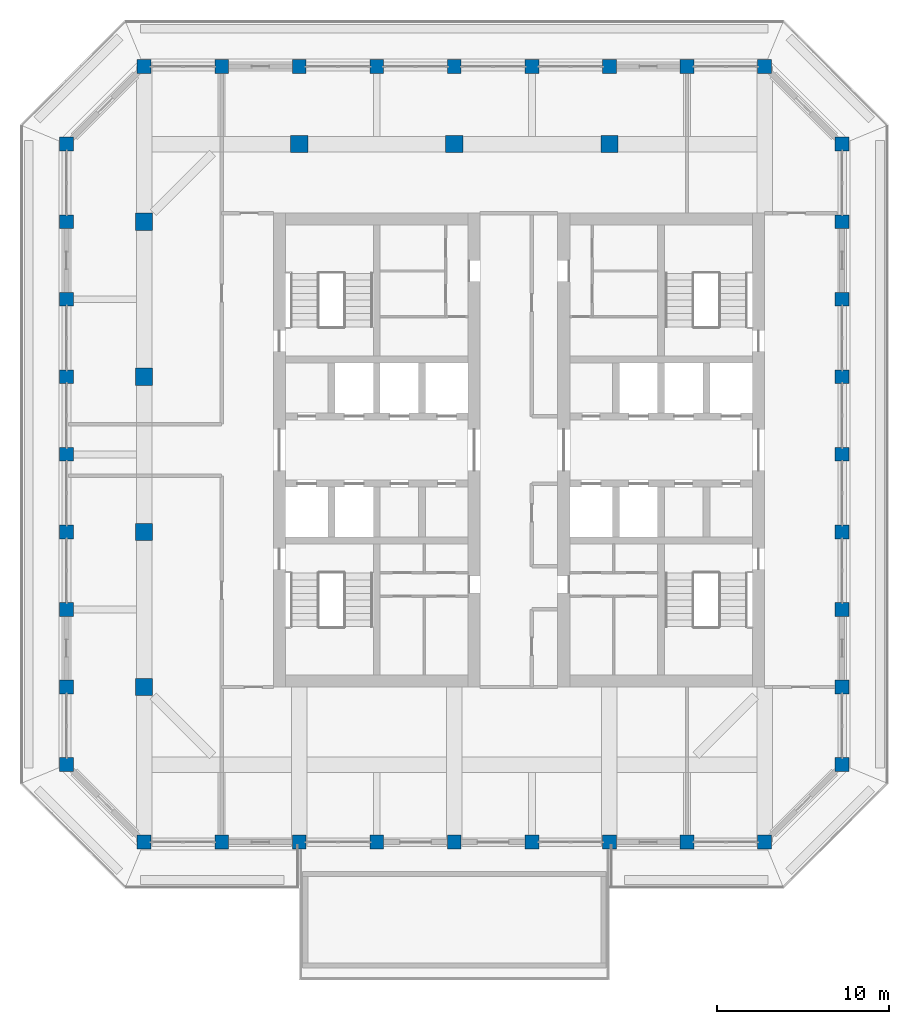
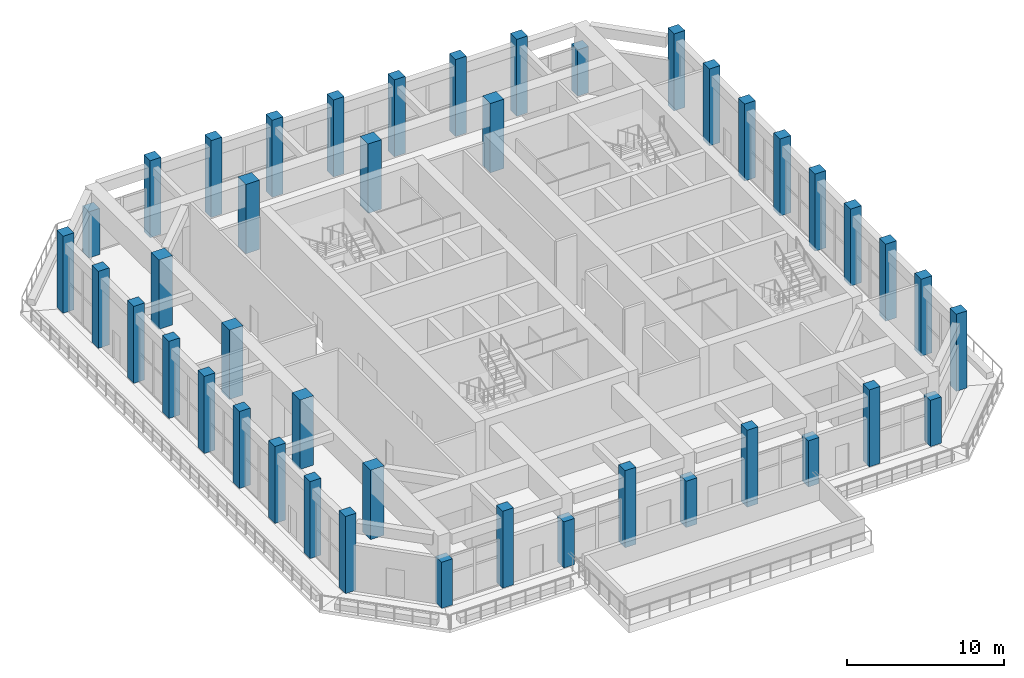
# One storey, part 1 of 20: 43 columns.
"""IFC4 building model written with IfcOpenShell, lengths in metres."""

from ifc_helpers import new_model, si_unit, direction, frame, origin, origin_2d, place, context, subcontext, project, spatial, rectangle, extrude, material, material_profile, profile_set, type_object, element, save


model = new_model("IFC4")

# Units and contexts
model_context = context("Model", 3, precision=1e-05, world=origin(), true_north=direction((0.0, 1.0)))
body_context = subcontext(model_context, "Body", "Model", "MODEL_VIEW")
ifc_project = project(units=[si_unit("LENGTHUNIT", "METRE"), si_unit("AREAUNIT", "SQUARE_METRE"), si_unit("VOLUMEUNIT", "CUBIC_METRE"), si_unit("PLANEANGLEUNIT", "RADIAN"), si_unit("MASSUNIT", "GRAM", prefix="KILO")], contexts=[model_context])

# Site, building, storey
site_placement = place(None, origin())
site = spatial("IfcSite", under=ifc_project, at=site_placement, CompositionType="ELEMENT")
building_placement = place(site_placement, origin())
building = spatial("IfcBuilding", under=site, at=building_placement, Name="Corbel Stack Research Tower", CompositionType="ELEMENT")
storey_placement = place(building_placement, frame((0.0, 0.0, 295.0)))
storey = spatial("IfcBuildingStorey", under=building, at=storey_placement, Name="L67", CompositionType="ELEMENT", Elevation=295.0)

# Columns
ifc_material_1 = material(Name="Concrete C60/75", Category="concrete")
ifc_material_profile_1 = material_profile(ifc_material_1, rectangle(XDim=0.800048828125, YDim=0.800048828125, at=origin_2d()), Name="RC 800 x 800")
ifc_profile_set_1 = profile_set([ifc_material_profile_1], Name="Concrete C60/75")
column_type_1 = type_object("IfcColumnType", Name="C-800-60", PredefinedType="COLUMN", material=ifc_profile_set_1)
for number, where, z_axis, x_axis, name in (
    (1, (-22.5, -13.5, 0.0), (0.0, 0.0, 1.0), (1.0, 0.0, 0.0), "Column 3/E L67"),
    (2, (-22.5, -9.0, 0.0), (0.0, 0.0, 1.0), (1.0, 0.0, 0.0), "Column 3/F L67"),
    (3, (-22.5, -4.5, 0.0), (0.0, 0.0, 1.0), (1.0, 0.0, 0.0), "Column 3/G L67"),
    (4, (-22.5, 0.0, 0.0), (0.0, 0.0, 1.0), (1.0, 0.0, 0.0), "Column 3/H L67"),
    (5, (-22.5, 4.5, 0.0), (0.0, 0.0, 1.0), (1.0, 0.0, 0.0), "Column 3/J L67"),
    (6, (-22.5, 9.0, 0.0), (0.0, 0.0, 1.0), (1.0, 0.0, 0.0), "Column 3/K L67"),
    (7, (-22.5, 13.5, 0.0), (0.0, 0.0, 1.0), (1.0, 0.0, 0.0), "Column 3/L L67"),
    (8, (-22.5, 18.0, 0.0), (0.0, 0.0, 1.0), (1.0, 0.0, 0.0), "Column 3/M L67"),
    (9, (-22.5, 22.5, 0.0), (0.0, 0.0, 1.0), (1.0, 0.0, 0.0), "Column 3/N L67"),
    (10, (-13.5, -18.0, 0.0), (0.0, 0.0, 1.0), (1.0, 0.0, 0.0), "Column 5/D L67"),
    (11, (-13.5, 27.0, 0.0), (0.0, 0.0, 1.0), (1.0, 0.0, 0.0), "Column 5/P L67"),
    (12, (-9.0, 27.0, 0.0), (0.0, 0.0, 1.0), (1.0, 0.0, 0.0), "Column 6/P L67"),
    (13, (-4.5, -18.0, 0.0), (0.0, 0.0, 1.0), (1.0, 0.0, 0.0), "Column 7/D L67"),
    (14, (-4.5, 27.0, 0.0), (0.0, 0.0, 1.0), (1.0, 0.0, 0.0), "Column 7/P L67"),
    (15, (0.0, 27.0, 0.0), (0.0, 0.0, 1.0), (1.0, 0.0, 0.0), "Column 8/P L67"),
    (16, (4.5, -18.0, 0.0), (0.0, 0.0, 1.0), (1.0, 0.0, 0.0), "Column 9/D L67"),
    (17, (4.5, 27.0, 0.0), (0.0, 0.0, 1.0), (1.0, 0.0, 0.0), "Column 9/P L67"),
    (18, (9.0, 27.0, 0.0), (0.0, 0.0, 1.0), (1.0, 0.0, 0.0), "Column 10/P L67"),
    (19, (13.5, -18.0, 0.0), (0.0, 0.0, 1.0), (1.0, 0.0, 0.0), "Column 11/D L67"),
    (20, (13.5, 27.0, 0.0), (0.0, 0.0, 1.0), (1.0, 0.0, 0.0), "Column 11/P L67"),
    (21, (22.5, -13.5, 0.0), (0.0, 0.0, 1.0), (1.0, 0.0, 0.0), "Column 13/E L67"),
    (22, (22.5, -9.0, 0.0), (0.0, 0.0, 1.0), (1.0, 0.0, 0.0), "Column 13/F L67"),
    (23, (22.5, -4.5, 0.0), (0.0, 0.0, 1.0), (1.0, 0.0, 0.0), "Column 13/G L67"),
    (24, (22.5, 0.0, 0.0), (0.0, 0.0, 1.0), (1.0, 0.0, 0.0), "Column 13/H L67"),
    (25, (22.5, 4.5, 0.0), (0.0, 0.0, 1.0), (1.0, 0.0, 0.0), "Column 13/J L67"),
    (26, (22.5, 9.0, 0.0), (0.0, 0.0, 1.0), (1.0, 0.0, 0.0), "Column 13/K L67"),
    (27, (22.5, 13.5, 0.0), (0.0, 0.0, 1.0), (1.0, 0.0, 0.0), "Column 13/L L67"),
    (28, (22.5, 18.0, 0.0), (0.0, 0.0, 1.0), (1.0, 0.0, 0.0), "Column 13/M L67"),
    (29, (22.5, 22.5, 0.0), (0.0, 0.0, 1.0), (1.0, 0.0, 0.0), "Column 13/N L67"),
):
    element("IfcColumn", number, at=place(storey_placement, frame(where, z_axis=z_axis, x_axis=x_axis)), inside=storey, type_object=column_type_1, Name=name, PredefinedType="COLUMN", context=body_context, shape_type="SweptSolid", body=[
        extrude(rectangle(XDim=0.800048828125, YDim=0.800048828125, at=origin_2d()), origin(), (0.0, 0.0, 1.0), 6.0),
    ])
ifc_material_2 = material(Name="Concrete C60/75", Category="concrete")
ifc_material_profile_2 = material_profile(ifc_material_2, rectangle(XDim=1.0, YDim=1.0, at=origin_2d()), Name="RC 1000 x 1000")
ifc_profile_set_2 = profile_set([ifc_material_profile_2], Name="Concrete C60/75")
column_type_2 = type_object("IfcColumnType", Name="CG-1000-60-600", PredefinedType="COLUMN", material=ifc_profile_set_2)
for number, where, z_axis, x_axis, name in (
    (30, (-18.0, -9.0, 0.0), (0.0, 0.0, 1.0), (1.0, 0.0, 0.0), "Column 4/F L67"),
    (31, (-18.0, 0.0, 0.0), (0.0, 0.0, 1.0), (1.0, 0.0, 0.0), "Column 4/H L67"),
    (32, (-18.0, 9.0, 0.0), (0.0, 0.0, 1.0), (1.0, 0.0, 0.0), "Column 4/K L67"),
    (33, (-18.0, 18.0, 0.0), (0.0, 0.0, 1.0), (1.0, 0.0, 0.0), "Column 4/M L67"),
    (34, (-9.0, 22.5, 0.0), (0.0, 0.0, 1.0), (1.0, 0.0, 0.0), "Column 6/N L67"),
    (35, (0.0, 22.5, 0.0), (0.0, 0.0, 1.0), (1.0, 0.0, 0.0), "Column 8/N L67"),
    (36, (9.0, 22.5, 0.0), (0.0, 0.0, 1.0), (1.0, 0.0, 0.0), "Column 10/N L67"),
):
    element("IfcColumn", number, at=place(storey_placement, frame(where, z_axis=z_axis, x_axis=x_axis)), inside=storey, type_object=column_type_2, Name=name, PredefinedType="COLUMN", context=body_context, shape_type="SweptSolid", body=[
        extrude(rectangle(XDim=1.0, YDim=1.0, at=origin_2d()), origin(), (0.0, 0.0, 1.0), 5.39990234375),
    ])
ifc_material_3 = material(Name="Concrete C60/75", Category="concrete")
ifc_material_profile_3 = material_profile(ifc_material_3, rectangle(XDim=0.800048828125, YDim=0.800048828125, at=origin_2d()), Name="RC 800 x 800")
ifc_profile_set_3 = profile_set([ifc_material_profile_3], Name="Concrete C60/75")
column_type_3 = type_object("IfcColumnType", Name="CG-800-60-2400", PredefinedType="COLUMN", material=ifc_profile_set_3)
for number, where, z_axis, x_axis, name in (
    (37, (-18.0, -18.0, 0.0), (0.0, 0.0, 1.0), (1.0, 0.0, 0.0), "Column 4/D L67"),
    (38, (-18.0, 27.0, 0.0), (0.0, 0.0, 1.0), (1.0, 0.0, 0.0), "Column 4/P L67"),
    (39, (-9.0, -18.0, 0.0), (0.0, 0.0, 1.0), (1.0, 0.0, 0.0), "Column 6/D L67"),
    (40, (0.0, -18.0, 0.0), (0.0, 0.0, 1.0), (1.0, 0.0, 0.0), "Column 8/D L67"),
    (41, (9.0, -18.0, 0.0), (0.0, 0.0, 1.0), (1.0, 0.0, 0.0), "Column 10/D L67"),
    (42, (18.0, -18.0, 0.0), (0.0, 0.0, 1.0), (1.0, 0.0, 0.0), "Column 12/D L67"),
    (43, (18.0, 27.0, 0.0), (0.0, 0.0, 1.0), (1.0, 0.0, 0.0), "Column 12/P L67"),
):
    element("IfcColumn", number, at=place(storey_placement, frame(where, z_axis=z_axis, x_axis=x_axis)), inside=storey, type_object=column_type_3, Name=name, PredefinedType="COLUMN", context=body_context, shape_type="SweptSolid", body=[
        extrude(rectangle(XDim=0.800048828125, YDim=0.800048828125, at=origin_2d()), origin(), (0.0, 0.0, 1.0), 3.60009765625),
    ])

save(model, "model.ifc")
